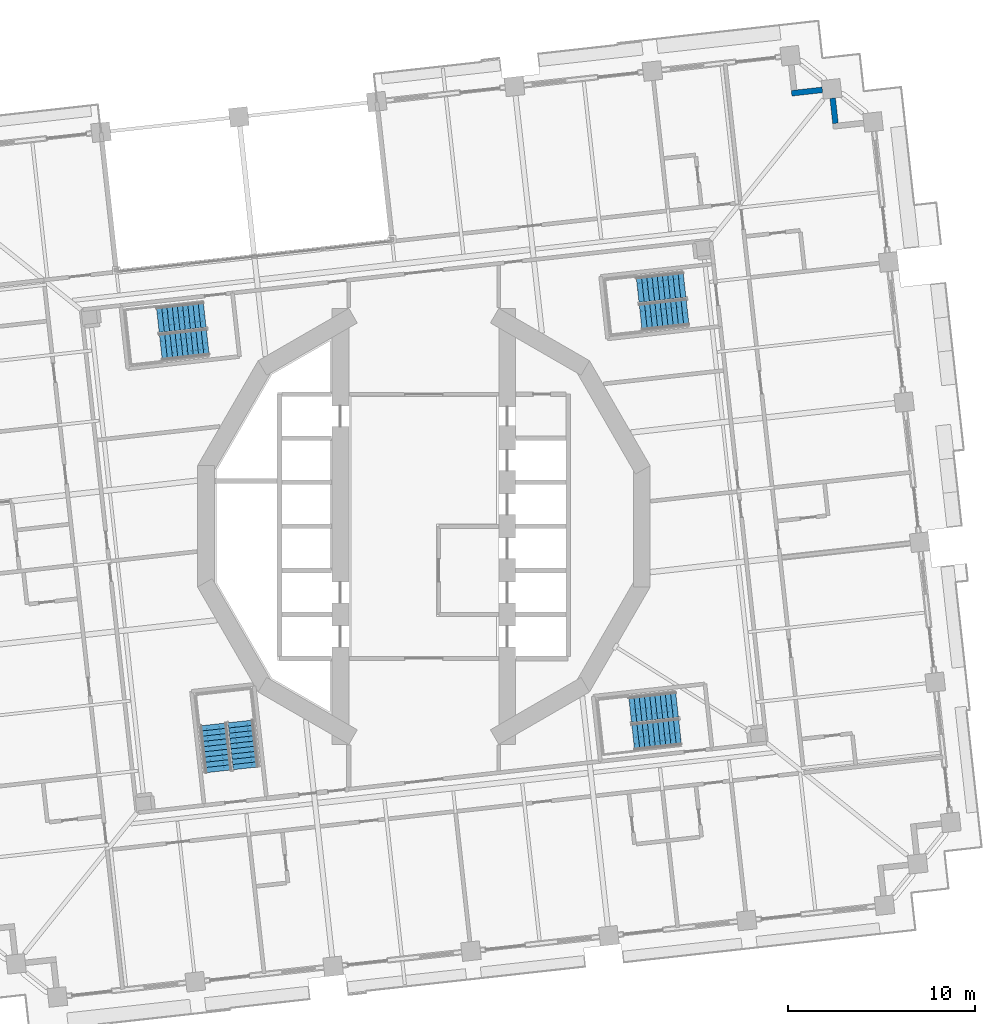
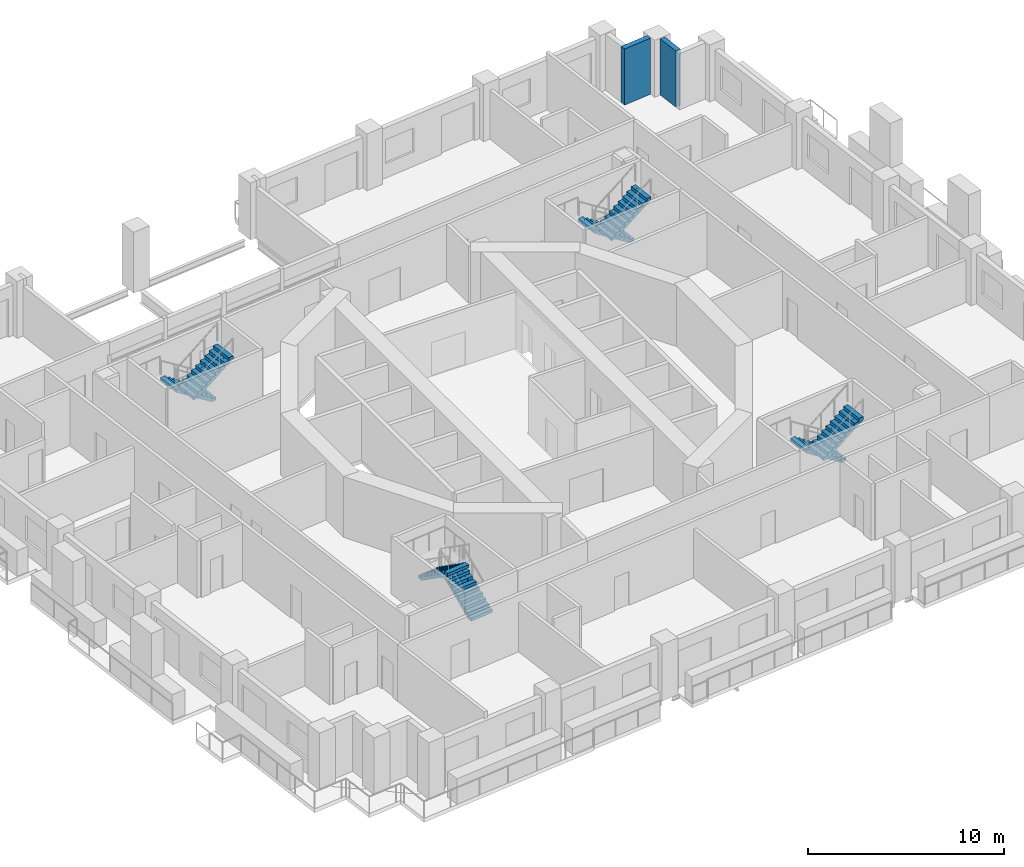
# One storey, part 13 of 21: 8 stair flights, 2 walls, 4 elements without a shape of their own.
"""IFC4 building model written with IfcOpenShell, lengths in metres."""

from ifc_helpers import new_model, si_unit, direction, frame, frame_2d, origin, place, context, subcontext, project, spatial, polyline, rectangle, outline, extrude, material, layer, layer_set, type_object, element, aggregate, save


model = new_model("IFC4")

# Units and contexts
model_context = context("Model", 3, precision=1e-05, world=origin(), true_north=direction((0.0, 1.0)))
body_context = subcontext(model_context, "Body", "Model", "MODEL_VIEW")
ifc_project = project(units=[si_unit("LENGTHUNIT", "METRE"), si_unit("AREAUNIT", "SQUARE_METRE"), si_unit("VOLUMEUNIT", "CUBIC_METRE"), si_unit("PLANEANGLEUNIT", "RADIAN"), si_unit("MASSUNIT", "GRAM", prefix="KILO")], contexts=[model_context])

# Site, building, storey
site_placement = place(None, origin())
site = spatial("IfcSite", under=ifc_project, at=site_placement, CompositionType="ELEMENT")
building_placement = place(site_placement, origin())
building = spatial("IfcBuilding", under=site, at=building_placement, Name="Cantera Rosa Tower", CompositionType="ELEMENT")
storey_placement = place(building_placement, frame((0.0, 0.0, 61.5)))
storey = spatial("IfcBuildingStorey", under=building, at=storey_placement, Name="L12", CompositionType="ELEMENT", Elevation=61.5)

# Walls
ifc_material_1 = material(Name="Hollow clay masonry with cantera stone cladding", Category="masonry")
ifc_layer = layer(ifc_material_1, 0.300048828125)
ifc_layer_set = layer_set([ifc_layer], Name="EW-LOGGIA 300")
wall_type = type_object("IfcWallType", Name="EW-LOGGIA 300", PredefinedType="SOLIDWALL", material=ifc_layer_set)
wall_1_placement = place(storey_placement, frame((21.9619140625, 21.50390625, 0.0), z_axis=(0.0, 0.0, 1.0), x_axis=(-0.110312435488, 0.993896959738, 0.0)))
element("IfcWall", 1, at=wall_1_placement, inside=storey, type_object=wall_type, Name="EN-L12-W06b", PredefinedType="SOLIDWALL", context=body_context, shape_type="SweptSolid", body=[
    extrude(rectangle(XDim=1.35009765625, YDim=0.300048828125, at=frame_2d((0.675048828125, 0.0))), origin(), (0.0, 0.0, 1.0), 3.5),
])
wall_2_placement = place(storey_placement, frame((21.2607421875, 23.287353515625, 0.0), z_axis=(0.0, 0.0, 1.0), x_axis=(-0.993905369514, -0.110236638423, 0.0)))
element("IfcWall", 2, at=wall_2_placement, inside=storey, type_object=wall_type, Name="EN-L12-W07a", PredefinedType="SOLIDWALL", context=body_context, shape_type="SweptSolid", body=[
    extrude(rectangle(XDim=1.64990234375, YDim=0.300048828125, at=frame_2d((0.824951171875, 0.0))), origin(), (0.0, 0.0, 1.0), 3.5),
])

# Stair, stair flights
ifc_material_2 = material(Name="Concrete C35/45", Category="concrete")
stair_type = type_object("IfcStairType", Name="EXIT STAIR 1350 DOGLEG", PredefinedType="HALF_TURN_STAIR", material=ifc_material_2)
stair_1_placement = place(storey_placement, origin())
stair_1 = element("IfcStair", 3, at=stair_1_placement, inside=storey, type_object=stair_type, Name="L12 ST-11", PredefinedType="HALF_TURN_STAIR")
ifc_material_3 = material(Name="Concrete C35/45", Category="concrete")
stair_flight_type = type_object("IfcStairFlightType", Name="STAIR FLIGHT 1350 R20x190", PredefinedType="STRAIGHT", material=ifc_material_3)
stair_flight_1_placement = place(storey_placement, frame((13.90869140625, 12.89990234375, 0.0), z_axis=(0.0, 0.0, 1.0), x_axis=(-0.993896947056, -0.110312549749, 0.0)))
stair_flight_1 = element("IfcStairFlight", 4, at=stair_flight_1_placement, type_object=stair_flight_type, Name="ST-11 flight 1", NumberOfRisers=10, NumberOfTreads=9, PredefinedType="STRAIGHT", RiserHeight=0.19, TreadLength=0.28, context=body_context, shape_type="SweptSolid", body=[
    extrude(outline(polyline([(0.0, 0.0), (0.0, 0.18994140625), (0.280029296875, 0.18994140625), (0.280029296875, 0.3798828125), (0.56005859375, 0.3798828125), (0.56005859375, 0.570068359375), (0.840087890625, 0.570068359375), (0.840087890625, 0.760009765625), (1.1201171875, 0.760009765625), (1.1201171875, 0.949951171875), (1.39990234375, 0.949951171875), (1.39990234375, 1.139892578125), (1.679931640625, 1.139892578125), (1.679931640625, 1.330078125), (1.9599609375, 1.330078125), (1.9599609375, 1.52001953125), (2.239990234375, 1.52001953125), (2.239990234375, 1.7099609375), (2.52001953125, 1.7099609375), (2.52001953125, 1.89990234375), (2.52001953125, 1.52880859375), (0.266845703125, 0.0), (0.0, 0.0)])), frame((0.0, 0.675048828125, 0.0), z_axis=(0.0, -1.0, 0.0), x_axis=(1.0, 0.0, 0.0)), (0.0, 0.0, 1.0), 0.3359375),
    extrude(outline(polyline([(0.0, 0.0), (0.0, 0.18994140625), (0.280029296875, 0.18994140625), (0.280029296875, 0.3798828125), (0.56005859375, 0.3798828125), (0.56005859375, 0.570068359375), (0.840087890625, 0.570068359375), (0.840087890625, 0.760009765625), (1.1201171875, 0.760009765625), (1.1201171875, 0.949951171875), (1.39990234375, 0.949951171875), (1.39990234375, 1.139892578125), (1.679931640625, 1.139892578125), (1.679931640625, 1.330078125), (1.9599609375, 1.330078125), (1.9599609375, 1.52001953125), (2.239990234375, 1.52001953125), (2.239990234375, 1.7099609375), (2.52001953125, 1.7099609375), (2.52001953125, 1.89990234375), (2.52001953125, 1.52880859375), (0.266845703125, 0.0), (0.0, 0.0)])), frame((0.0, 0.337158203125, 0.0), z_axis=(0.0, -1.0, 0.0), x_axis=(1.0, 0.0, 0.0)), (0.0, 0.0, 1.0), 0.3359375),
    extrude(outline(polyline([(0.0, 0.0), (0.0, 0.18994140625), (0.280029296875, 0.18994140625), (0.280029296875, 0.3798828125), (0.56005859375, 0.3798828125), (0.56005859375, 0.570068359375), (0.840087890625, 0.570068359375), (0.840087890625, 0.760009765625), (1.1201171875, 0.760009765625), (1.1201171875, 0.949951171875), (1.39990234375, 0.949951171875), (1.39990234375, 1.139892578125), (1.679931640625, 1.139892578125), (1.679931640625, 1.330078125), (1.9599609375, 1.330078125), (1.9599609375, 1.52001953125), (2.239990234375, 1.52001953125), (2.239990234375, 1.7099609375), (2.52001953125, 1.7099609375), (2.52001953125, 1.89990234375), (2.52001953125, 1.52880859375), (0.266845703125, 0.0), (0.0, 0.0)])), frame((0.0, -0.000732421875, 0.0), z_axis=(0.0, -1.0, 0.0), x_axis=(1.0, 0.0, 0.0)), (0.0, 0.0, 1.0), 0.3359375),
    extrude(outline(polyline([(0.0, 0.0), (0.0, 0.18994140625), (0.280029296875, 0.18994140625), (0.280029296875, 0.3798828125), (0.56005859375, 0.3798828125), (0.56005859375, 0.570068359375), (0.840087890625, 0.570068359375), (0.840087890625, 0.760009765625), (1.1201171875, 0.760009765625), (1.1201171875, 0.949951171875), (1.39990234375, 0.949951171875), (1.39990234375, 1.139892578125), (1.679931640625, 1.139892578125), (1.679931640625, 1.330078125), (1.9599609375, 1.330078125), (1.9599609375, 1.52001953125), (2.239990234375, 1.52001953125), (2.239990234375, 1.7099609375), (2.52001953125, 1.7099609375), (2.52001953125, 1.89990234375), (2.52001953125, 1.52880859375), (0.266845703125, 0.0), (0.0, 0.0)])), frame((0.0, -0.338623046875, 0.0), z_axis=(0.0, -1.0, 0.0), x_axis=(1.0, 0.0, 0.0)), (0.0, 0.0, 1.0), 0.3359375),
])
stair_flight_2_placement = place(storey_placement, frame((11.569580078125, 11.131103515625, 1.89990234375), z_axis=(0.0, 0.0, 1.0), x_axis=(0.993896947056, 0.110312549749, 0.0)))
stair_flight_2 = element("IfcStairFlight", 5, at=stair_flight_2_placement, type_object=stair_flight_type, Name="ST-11 flight 2", NumberOfRisers=10, NumberOfTreads=9, PredefinedType="STRAIGHT", RiserHeight=0.19, TreadLength=0.28, context=body_context, shape_type="SweptSolid", body=[
    extrude(outline(polyline([(0.0, 0.0), (0.0, 0.18994140625), (0.280029296875, 0.18994140625), (0.280029296875, 0.3798828125), (0.56005859375, 0.3798828125), (0.56005859375, 0.570068359375), (0.840087890625, 0.570068359375), (0.840087890625, 0.760009765625), (1.1201171875, 0.760009765625), (1.1201171875, 0.949951171875), (1.39990234375, 0.949951171875), (1.39990234375, 1.139892578125), (1.679931640625, 1.139892578125), (1.679931640625, 1.330078125), (1.9599609375, 1.330078125), (1.9599609375, 1.52001953125), (2.239990234375, 1.52001953125), (2.239990234375, 1.7099609375), (2.52001953125, 1.7099609375), (2.52001953125, 1.89990234375), (2.52001953125, 1.52880859375), (0.266845703125, 0.0), (0.0, 0.0)])), frame((0.0, 0.675048828125, 0.0), z_axis=(0.0, -1.0, 0.0), x_axis=(1.0, 0.0, 0.0)), (0.0, 0.0, 1.0), 0.3359375),
    extrude(outline(polyline([(0.0, 0.0), (0.0, 0.18994140625), (0.280029296875, 0.18994140625), (0.280029296875, 0.3798828125), (0.56005859375, 0.3798828125), (0.56005859375, 0.570068359375), (0.840087890625, 0.570068359375), (0.840087890625, 0.760009765625), (1.1201171875, 0.760009765625), (1.1201171875, 0.949951171875), (1.39990234375, 0.949951171875), (1.39990234375, 1.139892578125), (1.679931640625, 1.139892578125), (1.679931640625, 1.330078125), (1.9599609375, 1.330078125), (1.9599609375, 1.52001953125), (2.239990234375, 1.52001953125), (2.239990234375, 1.7099609375), (2.52001953125, 1.7099609375), (2.52001953125, 1.89990234375), (2.52001953125, 1.52880859375), (0.266845703125, 0.0), (0.0, 0.0)])), frame((0.0, 0.337158203125, 0.0), z_axis=(0.0, -1.0, 0.0), x_axis=(1.0, 0.0, 0.0)), (0.0, 0.0, 1.0), 0.3359375),
    extrude(outline(polyline([(0.0, 0.0), (0.0, 0.18994140625), (0.280029296875, 0.18994140625), (0.280029296875, 0.3798828125), (0.56005859375, 0.3798828125), (0.56005859375, 0.570068359375), (0.840087890625, 0.570068359375), (0.840087890625, 0.760009765625), (1.1201171875, 0.760009765625), (1.1201171875, 0.949951171875), (1.39990234375, 0.949951171875), (1.39990234375, 1.139892578125), (1.679931640625, 1.139892578125), (1.679931640625, 1.330078125), (1.9599609375, 1.330078125), (1.9599609375, 1.52001953125), (2.239990234375, 1.52001953125), (2.239990234375, 1.7099609375), (2.52001953125, 1.7099609375), (2.52001953125, 1.89990234375), (2.52001953125, 1.52880859375), (0.266845703125, 0.0), (0.0, 0.0)])), frame((0.0, -0.000732421875, 0.0), z_axis=(0.0, -1.0, 0.0), x_axis=(1.0, 0.0, 0.0)), (0.0, 0.0, 1.0), 0.3359375),
    extrude(outline(polyline([(0.0, 0.0), (0.0, 0.18994140625), (0.280029296875, 0.18994140625), (0.280029296875, 0.3798828125), (0.56005859375, 0.3798828125), (0.56005859375, 0.570068359375), (0.840087890625, 0.570068359375), (0.840087890625, 0.760009765625), (1.1201171875, 0.760009765625), (1.1201171875, 0.949951171875), (1.39990234375, 0.949951171875), (1.39990234375, 1.139892578125), (1.679931640625, 1.139892578125), (1.679931640625, 1.330078125), (1.9599609375, 1.330078125), (1.9599609375, 1.52001953125), (2.239990234375, 1.52001953125), (2.239990234375, 1.7099609375), (2.52001953125, 1.7099609375), (2.52001953125, 1.89990234375), (2.52001953125, 1.52880859375), (0.266845703125, 0.0), (0.0, 0.0)])), frame((0.0, -0.338623046875, 0.0), z_axis=(0.0, -1.0, 0.0), x_axis=(1.0, 0.0, 0.0)), (0.0, 0.0, 1.0), 0.3359375),
])
aggregate(stair_1, [stair_flight_1, stair_flight_2])

stair_2_placement = place(storey_placement, origin())
stair_2 = element("IfcStair", 6, at=stair_2_placement, inside=storey, type_object=stair_type, Name="L12 ST-12", PredefinedType="HALF_TURN_STAIR")
stair_flight_3_placement = place(storey_placement, frame((-11.691162109375, 11.2998046875, 0.0), z_axis=(0.0, 0.0, 1.0), x_axis=(-0.993896947056, -0.110312549749, 0.0)))
stair_flight_3 = element("IfcStairFlight", 7, at=stair_flight_3_placement, type_object=stair_flight_type, Name="ST-12 flight 1", NumberOfRisers=10, NumberOfTreads=9, PredefinedType="STRAIGHT", RiserHeight=0.19, TreadLength=0.28, context=body_context, shape_type="SweptSolid", body=[
    extrude(outline(polyline([(0.0, 0.0), (0.0, 0.18994140625), (0.280029296875, 0.18994140625), (0.280029296875, 0.3798828125), (0.56005859375, 0.3798828125), (0.56005859375, 0.570068359375), (0.840087890625, 0.570068359375), (0.840087890625, 0.760009765625), (1.1201171875, 0.760009765625), (1.1201171875, 0.949951171875), (1.39990234375, 0.949951171875), (1.39990234375, 1.139892578125), (1.679931640625, 1.139892578125), (1.679931640625, 1.330078125), (1.9599609375, 1.330078125), (1.9599609375, 1.52001953125), (2.239990234375, 1.52001953125), (2.239990234375, 1.7099609375), (2.52001953125, 1.7099609375), (2.52001953125, 1.89990234375), (2.52001953125, 1.52880859375), (0.266845703125, 0.0), (0.0, 0.0)])), frame((0.0, 0.675048828125, 0.0), z_axis=(0.0, -1.0, 0.0), x_axis=(1.0, 0.0, 0.0)), (0.0, 0.0, 1.0), 0.3359375),
    extrude(outline(polyline([(0.0, 0.0), (0.0, 0.18994140625), (0.280029296875, 0.18994140625), (0.280029296875, 0.3798828125), (0.56005859375, 0.3798828125), (0.56005859375, 0.570068359375), (0.840087890625, 0.570068359375), (0.840087890625, 0.760009765625), (1.1201171875, 0.760009765625), (1.1201171875, 0.949951171875), (1.39990234375, 0.949951171875), (1.39990234375, 1.139892578125), (1.679931640625, 1.139892578125), (1.679931640625, 1.330078125), (1.9599609375, 1.330078125), (1.9599609375, 1.52001953125), (2.239990234375, 1.52001953125), (2.239990234375, 1.7099609375), (2.52001953125, 1.7099609375), (2.52001953125, 1.89990234375), (2.52001953125, 1.52880859375), (0.266845703125, 0.0), (0.0, 0.0)])), frame((0.0, 0.337158203125, 0.0), z_axis=(0.0, -1.0, 0.0), x_axis=(1.0, 0.0, 0.0)), (0.0, 0.0, 1.0), 0.3359375),
    extrude(outline(polyline([(0.0, 0.0), (0.0, 0.18994140625), (0.280029296875, 0.18994140625), (0.280029296875, 0.3798828125), (0.56005859375, 0.3798828125), (0.56005859375, 0.570068359375), (0.840087890625, 0.570068359375), (0.840087890625, 0.760009765625), (1.1201171875, 0.760009765625), (1.1201171875, 0.949951171875), (1.39990234375, 0.949951171875), (1.39990234375, 1.139892578125), (1.679931640625, 1.139892578125), (1.679931640625, 1.330078125), (1.9599609375, 1.330078125), (1.9599609375, 1.52001953125), (2.239990234375, 1.52001953125), (2.239990234375, 1.7099609375), (2.52001953125, 1.7099609375), (2.52001953125, 1.89990234375), (2.52001953125, 1.52880859375), (0.266845703125, 0.0), (0.0, 0.0)])), frame((0.0, -0.000732421875, 0.0), z_axis=(0.0, -1.0, 0.0), x_axis=(1.0, 0.0, 0.0)), (0.0, 0.0, 1.0), 0.3359375),
    extrude(outline(polyline([(0.0, 0.0), (0.0, 0.18994140625), (0.280029296875, 0.18994140625), (0.280029296875, 0.3798828125), (0.56005859375, 0.3798828125), (0.56005859375, 0.570068359375), (0.840087890625, 0.570068359375), (0.840087890625, 0.760009765625), (1.1201171875, 0.760009765625), (1.1201171875, 0.949951171875), (1.39990234375, 0.949951171875), (1.39990234375, 1.139892578125), (1.679931640625, 1.139892578125), (1.679931640625, 1.330078125), (1.9599609375, 1.330078125), (1.9599609375, 1.52001953125), (2.239990234375, 1.52001953125), (2.239990234375, 1.7099609375), (2.52001953125, 1.7099609375), (2.52001953125, 1.89990234375), (2.52001953125, 1.52880859375), (0.266845703125, 0.0), (0.0, 0.0)])), frame((0.0, -0.338623046875, 0.0), z_axis=(0.0, -1.0, 0.0), x_axis=(1.0, 0.0, 0.0)), (0.0, 0.0, 1.0), 0.3359375),
])
stair_flight_4_placement = place(storey_placement, frame((-14.030517578125, 9.531005859375, 1.89990234375), z_axis=(0.0, 0.0, 1.0), x_axis=(0.993896947056, 0.110312549749, 0.0)))
stair_flight_4 = element("IfcStairFlight", 8, at=stair_flight_4_placement, type_object=stair_flight_type, Name="ST-12 flight 2", NumberOfRisers=10, NumberOfTreads=9, PredefinedType="STRAIGHT", RiserHeight=0.19, TreadLength=0.28, context=body_context, shape_type="SweptSolid", body=[
    extrude(outline(polyline([(0.0, 0.0), (0.0, 0.18994140625), (0.280029296875, 0.18994140625), (0.280029296875, 0.3798828125), (0.56005859375, 0.3798828125), (0.56005859375, 0.570068359375), (0.840087890625, 0.570068359375), (0.840087890625, 0.760009765625), (1.1201171875, 0.760009765625), (1.1201171875, 0.949951171875), (1.39990234375, 0.949951171875), (1.39990234375, 1.139892578125), (1.679931640625, 1.139892578125), (1.679931640625, 1.330078125), (1.9599609375, 1.330078125), (1.9599609375, 1.52001953125), (2.239990234375, 1.52001953125), (2.239990234375, 1.7099609375), (2.52001953125, 1.7099609375), (2.52001953125, 1.89990234375), (2.52001953125, 1.52880859375), (0.266845703125, 0.0), (0.0, 0.0)])), frame((0.0, 0.675048828125, 0.0), z_axis=(0.0, -1.0, 0.0), x_axis=(1.0, 0.0, 0.0)), (0.0, 0.0, 1.0), 0.3359375),
    extrude(outline(polyline([(0.0, 0.0), (0.0, 0.18994140625), (0.280029296875, 0.18994140625), (0.280029296875, 0.3798828125), (0.56005859375, 0.3798828125), (0.56005859375, 0.570068359375), (0.840087890625, 0.570068359375), (0.840087890625, 0.760009765625), (1.1201171875, 0.760009765625), (1.1201171875, 0.949951171875), (1.39990234375, 0.949951171875), (1.39990234375, 1.139892578125), (1.679931640625, 1.139892578125), (1.679931640625, 1.330078125), (1.9599609375, 1.330078125), (1.9599609375, 1.52001953125), (2.239990234375, 1.52001953125), (2.239990234375, 1.7099609375), (2.52001953125, 1.7099609375), (2.52001953125, 1.89990234375), (2.52001953125, 1.52880859375), (0.266845703125, 0.0), (0.0, 0.0)])), frame((0.0, 0.337158203125, 0.0), z_axis=(0.0, -1.0, 0.0), x_axis=(1.0, 0.0, 0.0)), (0.0, 0.0, 1.0), 0.3359375),
    extrude(outline(polyline([(0.0, 0.0), (0.0, 0.18994140625), (0.280029296875, 0.18994140625), (0.280029296875, 0.3798828125), (0.56005859375, 0.3798828125), (0.56005859375, 0.570068359375), (0.840087890625, 0.570068359375), (0.840087890625, 0.760009765625), (1.1201171875, 0.760009765625), (1.1201171875, 0.949951171875), (1.39990234375, 0.949951171875), (1.39990234375, 1.139892578125), (1.679931640625, 1.139892578125), (1.679931640625, 1.330078125), (1.9599609375, 1.330078125), (1.9599609375, 1.52001953125), (2.239990234375, 1.52001953125), (2.239990234375, 1.7099609375), (2.52001953125, 1.7099609375), (2.52001953125, 1.89990234375), (2.52001953125, 1.52880859375), (0.266845703125, 0.0), (0.0, 0.0)])), frame((0.0, -0.000732421875, 0.0), z_axis=(0.0, -1.0, 0.0), x_axis=(1.0, 0.0, 0.0)), (0.0, 0.0, 1.0), 0.3359375),
    extrude(outline(polyline([(0.0, 0.0), (0.0, 0.18994140625), (0.280029296875, 0.18994140625), (0.280029296875, 0.3798828125), (0.56005859375, 0.3798828125), (0.56005859375, 0.570068359375), (0.840087890625, 0.570068359375), (0.840087890625, 0.760009765625), (1.1201171875, 0.760009765625), (1.1201171875, 0.949951171875), (1.39990234375, 0.949951171875), (1.39990234375, 1.139892578125), (1.679931640625, 1.139892578125), (1.679931640625, 1.330078125), (1.9599609375, 1.330078125), (1.9599609375, 1.52001953125), (2.239990234375, 1.52001953125), (2.239990234375, 1.7099609375), (2.52001953125, 1.7099609375), (2.52001953125, 1.89990234375), (2.52001953125, 1.52880859375), (0.266845703125, 0.0), (0.0, 0.0)])), frame((0.0, -0.338623046875, 0.0), z_axis=(0.0, -1.0, 0.0), x_axis=(1.0, 0.0, 0.0)), (0.0, 0.0, 1.0), 0.3359375),
])
aggregate(stair_2, [stair_flight_3, stair_flight_4])

stair_3_placement = place(storey_placement, origin())
stair_3 = element("IfcStair", 9, at=stair_3_placement, inside=storey, type_object=stair_type, Name="L12 ST-13", PredefinedType="HALF_TURN_STAIR")
stair_flight_5_placement = place(storey_placement, frame((-9.500244140625, -12.90869140625, 0.0), z_axis=(0.0, 0.0, 1.0), x_axis=(-0.110312549749, 0.993896947056, 0.0)))
stair_flight_5 = element("IfcStairFlight", 10, at=stair_flight_5_placement, type_object=stair_flight_type, Name="ST-13 flight 1", NumberOfRisers=10, NumberOfTreads=9, PredefinedType="STRAIGHT", RiserHeight=0.19, TreadLength=0.28, context=body_context, shape_type="SweptSolid", body=[
    extrude(outline(polyline([(0.0, 0.0), (0.0, 0.18994140625), (0.280029296875, 0.18994140625), (0.280029296875, 0.3798828125), (0.56005859375, 0.3798828125), (0.56005859375, 0.570068359375), (0.840087890625, 0.570068359375), (0.840087890625, 0.760009765625), (1.1201171875, 0.760009765625), (1.1201171875, 0.949951171875), (1.39990234375, 0.949951171875), (1.39990234375, 1.139892578125), (1.679931640625, 1.139892578125), (1.679931640625, 1.330078125), (1.9599609375, 1.330078125), (1.9599609375, 1.52001953125), (2.239990234375, 1.52001953125), (2.239990234375, 1.7099609375), (2.52001953125, 1.7099609375), (2.52001953125, 1.89990234375), (2.52001953125, 1.52880859375), (0.266845703125, 0.0), (0.0, 0.0)])), frame((0.0, 0.675048828125, 0.0), z_axis=(0.0, -1.0, 0.0), x_axis=(1.0, 0.0, 0.0)), (0.0, 0.0, 1.0), 0.3359375),
    extrude(outline(polyline([(0.0, 0.0), (0.0, 0.18994140625), (0.280029296875, 0.18994140625), (0.280029296875, 0.3798828125), (0.56005859375, 0.3798828125), (0.56005859375, 0.570068359375), (0.840087890625, 0.570068359375), (0.840087890625, 0.760009765625), (1.1201171875, 0.760009765625), (1.1201171875, 0.949951171875), (1.39990234375, 0.949951171875), (1.39990234375, 1.139892578125), (1.679931640625, 1.139892578125), (1.679931640625, 1.330078125), (1.9599609375, 1.330078125), (1.9599609375, 1.52001953125), (2.239990234375, 1.52001953125), (2.239990234375, 1.7099609375), (2.52001953125, 1.7099609375), (2.52001953125, 1.89990234375), (2.52001953125, 1.52880859375), (0.266845703125, 0.0), (0.0, 0.0)])), frame((0.0, 0.337158203125, 0.0), z_axis=(0.0, -1.0, 0.0), x_axis=(1.0, 0.0, 0.0)), (0.0, 0.0, 1.0), 0.3359375),
    extrude(outline(polyline([(0.0, 0.0), (0.0, 0.18994140625), (0.280029296875, 0.18994140625), (0.280029296875, 0.3798828125), (0.56005859375, 0.3798828125), (0.56005859375, 0.570068359375), (0.840087890625, 0.570068359375), (0.840087890625, 0.760009765625), (1.1201171875, 0.760009765625), (1.1201171875, 0.949951171875), (1.39990234375, 0.949951171875), (1.39990234375, 1.139892578125), (1.679931640625, 1.139892578125), (1.679931640625, 1.330078125), (1.9599609375, 1.330078125), (1.9599609375, 1.52001953125), (2.239990234375, 1.52001953125), (2.239990234375, 1.7099609375), (2.52001953125, 1.7099609375), (2.52001953125, 1.89990234375), (2.52001953125, 1.52880859375), (0.266845703125, 0.0), (0.0, 0.0)])), frame((0.0, -0.000732421875, 0.0), z_axis=(0.0, -1.0, 0.0), x_axis=(1.0, 0.0, 0.0)), (0.0, 0.0, 1.0), 0.3359375),
    extrude(outline(polyline([(0.0, 0.0), (0.0, 0.18994140625), (0.280029296875, 0.18994140625), (0.280029296875, 0.3798828125), (0.56005859375, 0.3798828125), (0.56005859375, 0.570068359375), (0.840087890625, 0.570068359375), (0.840087890625, 0.760009765625), (1.1201171875, 0.760009765625), (1.1201171875, 0.949951171875), (1.39990234375, 0.949951171875), (1.39990234375, 1.139892578125), (1.679931640625, 1.139892578125), (1.679931640625, 1.330078125), (1.9599609375, 1.330078125), (1.9599609375, 1.52001953125), (2.239990234375, 1.52001953125), (2.239990234375, 1.7099609375), (2.52001953125, 1.7099609375), (2.52001953125, 1.89990234375), (2.52001953125, 1.52880859375), (0.266845703125, 0.0), (0.0, 0.0)])), frame((0.0, -0.338623046875, 0.0), z_axis=(0.0, -1.0, 0.0), x_axis=(1.0, 0.0, 0.0)), (0.0, 0.0, 1.0), 0.3359375),
])
stair_flight_6_placement = place(storey_placement, frame((-11.26904296875, -10.569580078125, 1.89990234375), z_axis=(0.0, 0.0, 1.0), x_axis=(0.110312549749, -0.993896947056, 0.0)))
stair_flight_6 = element("IfcStairFlight", 11, at=stair_flight_6_placement, type_object=stair_flight_type, Name="ST-13 flight 2", NumberOfRisers=10, NumberOfTreads=9, PredefinedType="STRAIGHT", RiserHeight=0.19, TreadLength=0.28, context=body_context, shape_type="SweptSolid", body=[
    extrude(outline(polyline([(0.0, 0.0), (0.0, 0.18994140625), (0.280029296875, 0.18994140625), (0.280029296875, 0.3798828125), (0.56005859375, 0.3798828125), (0.56005859375, 0.570068359375), (0.840087890625, 0.570068359375), (0.840087890625, 0.760009765625), (1.1201171875, 0.760009765625), (1.1201171875, 0.949951171875), (1.39990234375, 0.949951171875), (1.39990234375, 1.139892578125), (1.679931640625, 1.139892578125), (1.679931640625, 1.330078125), (1.9599609375, 1.330078125), (1.9599609375, 1.52001953125), (2.239990234375, 1.52001953125), (2.239990234375, 1.7099609375), (2.52001953125, 1.7099609375), (2.52001953125, 1.89990234375), (2.52001953125, 1.52880859375), (0.266845703125, 0.0), (0.0, 0.0)])), frame((0.0, 0.675048828125, 0.0), z_axis=(0.0, -1.0, 0.0), x_axis=(1.0, 0.0, 0.0)), (0.0, 0.0, 1.0), 0.3359375),
    extrude(outline(polyline([(0.0, 0.0), (0.0, 0.18994140625), (0.280029296875, 0.18994140625), (0.280029296875, 0.3798828125), (0.56005859375, 0.3798828125), (0.56005859375, 0.570068359375), (0.840087890625, 0.570068359375), (0.840087890625, 0.760009765625), (1.1201171875, 0.760009765625), (1.1201171875, 0.949951171875), (1.39990234375, 0.949951171875), (1.39990234375, 1.139892578125), (1.679931640625, 1.139892578125), (1.679931640625, 1.330078125), (1.9599609375, 1.330078125), (1.9599609375, 1.52001953125), (2.239990234375, 1.52001953125), (2.239990234375, 1.7099609375), (2.52001953125, 1.7099609375), (2.52001953125, 1.89990234375), (2.52001953125, 1.52880859375), (0.266845703125, 0.0), (0.0, 0.0)])), frame((0.0, 0.337158203125, 0.0), z_axis=(0.0, -1.0, 0.0), x_axis=(1.0, 0.0, 0.0)), (0.0, 0.0, 1.0), 0.3359375),
    extrude(outline(polyline([(0.0, 0.0), (0.0, 0.18994140625), (0.280029296875, 0.18994140625), (0.280029296875, 0.3798828125), (0.56005859375, 0.3798828125), (0.56005859375, 0.570068359375), (0.840087890625, 0.570068359375), (0.840087890625, 0.760009765625), (1.1201171875, 0.760009765625), (1.1201171875, 0.949951171875), (1.39990234375, 0.949951171875), (1.39990234375, 1.139892578125), (1.679931640625, 1.139892578125), (1.679931640625, 1.330078125), (1.9599609375, 1.330078125), (1.9599609375, 1.52001953125), (2.239990234375, 1.52001953125), (2.239990234375, 1.7099609375), (2.52001953125, 1.7099609375), (2.52001953125, 1.89990234375), (2.52001953125, 1.52880859375), (0.266845703125, 0.0), (0.0, 0.0)])), frame((0.0, -0.000732421875, 0.0), z_axis=(0.0, -1.0, 0.0), x_axis=(1.0, 0.0, 0.0)), (0.0, 0.0, 1.0), 0.3359375),
    extrude(outline(polyline([(0.0, 0.0), (0.0, 0.18994140625), (0.280029296875, 0.18994140625), (0.280029296875, 0.3798828125), (0.56005859375, 0.3798828125), (0.56005859375, 0.570068359375), (0.840087890625, 0.570068359375), (0.840087890625, 0.760009765625), (1.1201171875, 0.760009765625), (1.1201171875, 0.949951171875), (1.39990234375, 0.949951171875), (1.39990234375, 1.139892578125), (1.679931640625, 1.139892578125), (1.679931640625, 1.330078125), (1.9599609375, 1.330078125), (1.9599609375, 1.52001953125), (2.239990234375, 1.52001953125), (2.239990234375, 1.7099609375), (2.52001953125, 1.7099609375), (2.52001953125, 1.89990234375), (2.52001953125, 1.52880859375), (0.266845703125, 0.0), (0.0, 0.0)])), frame((0.0, -0.338623046875, 0.0), z_axis=(0.0, -1.0, 0.0), x_axis=(1.0, 0.0, 0.0)), (0.0, 0.0, 1.0), 0.3359375),
])
aggregate(stair_3, [stair_flight_5, stair_flight_6])

stair_4_placement = place(storey_placement, origin())
stair_4 = element("IfcStair", 12, at=stair_4_placement, inside=storey, type_object=stair_type, Name="L12 ST-14", PredefinedType="HALF_TURN_STAIR")
stair_flight_7_placement = place(storey_placement, frame((13.5087890625, -9.500244140625, 0.0), z_axis=(0.0, 0.0, 1.0), x_axis=(-0.993896947056, -0.110312549749, 0.0)))
stair_flight_7 = element("IfcStairFlight", 13, at=stair_flight_7_placement, type_object=stair_flight_type, Name="ST-14 flight 1", NumberOfRisers=10, NumberOfTreads=9, PredefinedType="STRAIGHT", RiserHeight=0.19, TreadLength=0.28, context=body_context, shape_type="SweptSolid", body=[
    extrude(outline(polyline([(0.0, 0.0), (0.0, 0.18994140625), (0.280029296875, 0.18994140625), (0.280029296875, 0.3798828125), (0.56005859375, 0.3798828125), (0.56005859375, 0.570068359375), (0.840087890625, 0.570068359375), (0.840087890625, 0.760009765625), (1.1201171875, 0.760009765625), (1.1201171875, 0.949951171875), (1.39990234375, 0.949951171875), (1.39990234375, 1.139892578125), (1.679931640625, 1.139892578125), (1.679931640625, 1.330078125), (1.9599609375, 1.330078125), (1.9599609375, 1.52001953125), (2.239990234375, 1.52001953125), (2.239990234375, 1.7099609375), (2.52001953125, 1.7099609375), (2.52001953125, 1.89990234375), (2.52001953125, 1.52880859375), (0.266845703125, 0.0), (0.0, 0.0)])), frame((0.0, 0.675048828125, 0.0), z_axis=(0.0, -1.0, 0.0), x_axis=(1.0, 0.0, 0.0)), (0.0, 0.0, 1.0), 0.3359375),
    extrude(outline(polyline([(0.0, 0.0), (0.0, 0.18994140625), (0.280029296875, 0.18994140625), (0.280029296875, 0.3798828125), (0.56005859375, 0.3798828125), (0.56005859375, 0.570068359375), (0.840087890625, 0.570068359375), (0.840087890625, 0.760009765625), (1.1201171875, 0.760009765625), (1.1201171875, 0.949951171875), (1.39990234375, 0.949951171875), (1.39990234375, 1.139892578125), (1.679931640625, 1.139892578125), (1.679931640625, 1.330078125), (1.9599609375, 1.330078125), (1.9599609375, 1.52001953125), (2.239990234375, 1.52001953125), (2.239990234375, 1.7099609375), (2.52001953125, 1.7099609375), (2.52001953125, 1.89990234375), (2.52001953125, 1.52880859375), (0.266845703125, 0.0), (0.0, 0.0)])), frame((0.0, 0.337158203125, 0.0), z_axis=(0.0, -1.0, 0.0), x_axis=(1.0, 0.0, 0.0)), (0.0, 0.0, 1.0), 0.3359375),
    extrude(outline(polyline([(0.0, 0.0), (0.0, 0.18994140625), (0.280029296875, 0.18994140625), (0.280029296875, 0.3798828125), (0.56005859375, 0.3798828125), (0.56005859375, 0.570068359375), (0.840087890625, 0.570068359375), (0.840087890625, 0.760009765625), (1.1201171875, 0.760009765625), (1.1201171875, 0.949951171875), (1.39990234375, 0.949951171875), (1.39990234375, 1.139892578125), (1.679931640625, 1.139892578125), (1.679931640625, 1.330078125), (1.9599609375, 1.330078125), (1.9599609375, 1.52001953125), (2.239990234375, 1.52001953125), (2.239990234375, 1.7099609375), (2.52001953125, 1.7099609375), (2.52001953125, 1.89990234375), (2.52001953125, 1.52880859375), (0.266845703125, 0.0), (0.0, 0.0)])), frame((0.0, -0.000732421875, 0.0), z_axis=(0.0, -1.0, 0.0), x_axis=(1.0, 0.0, 0.0)), (0.0, 0.0, 1.0), 0.3359375),
    extrude(outline(polyline([(0.0, 0.0), (0.0, 0.18994140625), (0.280029296875, 0.18994140625), (0.280029296875, 0.3798828125), (0.56005859375, 0.3798828125), (0.56005859375, 0.570068359375), (0.840087890625, 0.570068359375), (0.840087890625, 0.760009765625), (1.1201171875, 0.760009765625), (1.1201171875, 0.949951171875), (1.39990234375, 0.949951171875), (1.39990234375, 1.139892578125), (1.679931640625, 1.139892578125), (1.679931640625, 1.330078125), (1.9599609375, 1.330078125), (1.9599609375, 1.52001953125), (2.239990234375, 1.52001953125), (2.239990234375, 1.7099609375), (2.52001953125, 1.7099609375), (2.52001953125, 1.89990234375), (2.52001953125, 1.52880859375), (0.266845703125, 0.0), (0.0, 0.0)])), frame((0.0, -0.338623046875, 0.0), z_axis=(0.0, -1.0, 0.0), x_axis=(1.0, 0.0, 0.0)), (0.0, 0.0, 1.0), 0.3359375),
])
stair_flight_8_placement = place(storey_placement, frame((11.169677734375, -11.26904296875, 1.89990234375), z_axis=(0.0, 0.0, 1.0), x_axis=(0.993896947056, 0.110312549749, 0.0)))
stair_flight_8 = element("IfcStairFlight", 14, at=stair_flight_8_placement, type_object=stair_flight_type, Name="ST-14 flight 2", NumberOfRisers=10, NumberOfTreads=9, PredefinedType="STRAIGHT", RiserHeight=0.19, TreadLength=0.28, context=body_context, shape_type="SweptSolid", body=[
    extrude(outline(polyline([(0.0, 0.0), (0.0, 0.18994140625), (0.280029296875, 0.18994140625), (0.280029296875, 0.3798828125), (0.56005859375, 0.3798828125), (0.56005859375, 0.570068359375), (0.840087890625, 0.570068359375), (0.840087890625, 0.760009765625), (1.1201171875, 0.760009765625), (1.1201171875, 0.949951171875), (1.39990234375, 0.949951171875), (1.39990234375, 1.139892578125), (1.679931640625, 1.139892578125), (1.679931640625, 1.330078125), (1.9599609375, 1.330078125), (1.9599609375, 1.52001953125), (2.239990234375, 1.52001953125), (2.239990234375, 1.7099609375), (2.52001953125, 1.7099609375), (2.52001953125, 1.89990234375), (2.52001953125, 1.52880859375), (0.266845703125, 0.0), (0.0, 0.0)])), frame((0.0, 0.675048828125, 0.0), z_axis=(0.0, -1.0, 0.0), x_axis=(1.0, 0.0, 0.0)), (0.0, 0.0, 1.0), 0.3359375),
    extrude(outline(polyline([(0.0, 0.0), (0.0, 0.18994140625), (0.280029296875, 0.18994140625), (0.280029296875, 0.3798828125), (0.56005859375, 0.3798828125), (0.56005859375, 0.570068359375), (0.840087890625, 0.570068359375), (0.840087890625, 0.760009765625), (1.1201171875, 0.760009765625), (1.1201171875, 0.949951171875), (1.39990234375, 0.949951171875), (1.39990234375, 1.139892578125), (1.679931640625, 1.139892578125), (1.679931640625, 1.330078125), (1.9599609375, 1.330078125), (1.9599609375, 1.52001953125), (2.239990234375, 1.52001953125), (2.239990234375, 1.7099609375), (2.52001953125, 1.7099609375), (2.52001953125, 1.89990234375), (2.52001953125, 1.52880859375), (0.266845703125, 0.0), (0.0, 0.0)])), frame((0.0, 0.337158203125, 0.0), z_axis=(0.0, -1.0, 0.0), x_axis=(1.0, 0.0, 0.0)), (0.0, 0.0, 1.0), 0.3359375),
    extrude(outline(polyline([(0.0, 0.0), (0.0, 0.18994140625), (0.280029296875, 0.18994140625), (0.280029296875, 0.3798828125), (0.56005859375, 0.3798828125), (0.56005859375, 0.570068359375), (0.840087890625, 0.570068359375), (0.840087890625, 0.760009765625), (1.1201171875, 0.760009765625), (1.1201171875, 0.949951171875), (1.39990234375, 0.949951171875), (1.39990234375, 1.139892578125), (1.679931640625, 1.139892578125), (1.679931640625, 1.330078125), (1.9599609375, 1.330078125), (1.9599609375, 1.52001953125), (2.239990234375, 1.52001953125), (2.239990234375, 1.7099609375), (2.52001953125, 1.7099609375), (2.52001953125, 1.89990234375), (2.52001953125, 1.52880859375), (0.266845703125, 0.0), (0.0, 0.0)])), frame((0.0, -0.000732421875, 0.0), z_axis=(0.0, -1.0, 0.0), x_axis=(1.0, 0.0, 0.0)), (0.0, 0.0, 1.0), 0.3359375),
    extrude(outline(polyline([(0.0, 0.0), (0.0, 0.18994140625), (0.280029296875, 0.18994140625), (0.280029296875, 0.3798828125), (0.56005859375, 0.3798828125), (0.56005859375, 0.570068359375), (0.840087890625, 0.570068359375), (0.840087890625, 0.760009765625), (1.1201171875, 0.760009765625), (1.1201171875, 0.949951171875), (1.39990234375, 0.949951171875), (1.39990234375, 1.139892578125), (1.679931640625, 1.139892578125), (1.679931640625, 1.330078125), (1.9599609375, 1.330078125), (1.9599609375, 1.52001953125), (2.239990234375, 1.52001953125), (2.239990234375, 1.7099609375), (2.52001953125, 1.7099609375), (2.52001953125, 1.89990234375), (2.52001953125, 1.52880859375), (0.266845703125, 0.0), (0.0, 0.0)])), frame((0.0, -0.338623046875, 0.0), z_axis=(0.0, -1.0, 0.0), x_axis=(1.0, 0.0, 0.0)), (0.0, 0.0, 1.0), 0.3359375),
])
aggregate(stair_4, [stair_flight_7, stair_flight_8])

save(model, "model.ifc")
